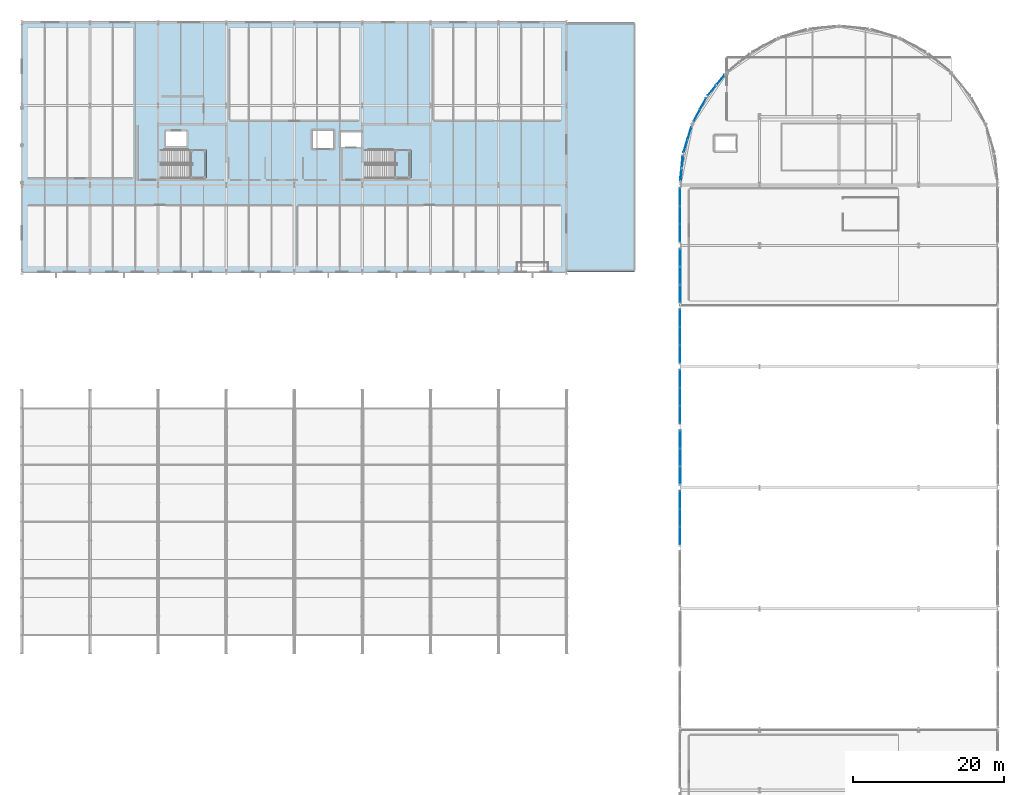
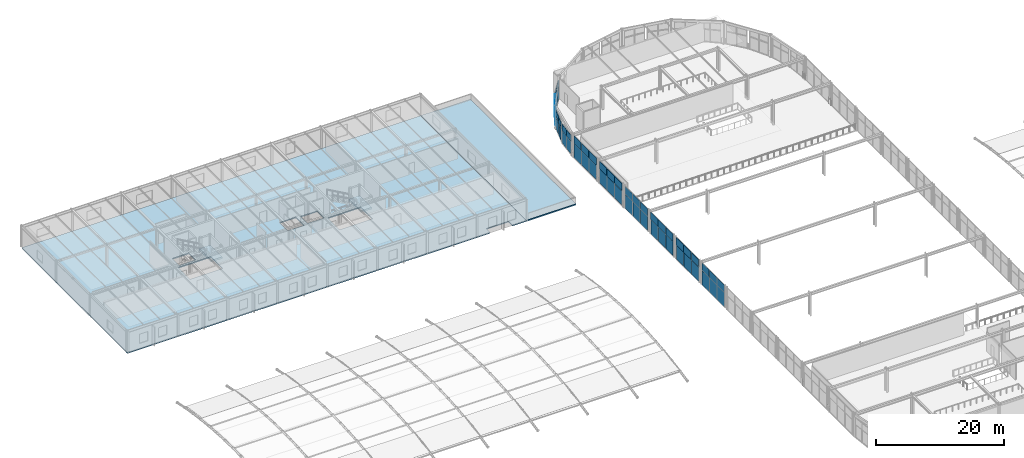
# One storey, part 54 of 105: 52 plates, 4 slabs, 12 elements without a shape of their own.
"""IFC4 building model written with IfcOpenShell, lengths in metres."""

from ifc_helpers import new_model, si_unit, direction, frame, origin, origin_2d, place, context, subcontext, project, spatial, polyline, rectangle, outline, extrude, material, layer, layer_set, type_object, element, aggregate, save


model = new_model("IFC4")

# Units and contexts
model_context = context("Model", 3, precision=1e-05, world=origin(), true_north=direction((0.0, 1.0)))
body_context = subcontext(model_context, "Body", "Model", "MODEL_VIEW")
ifc_project = project(units=[si_unit("LENGTHUNIT", "METRE"), si_unit("AREAUNIT", "SQUARE_METRE"), si_unit("VOLUMEUNIT", "CUBIC_METRE"), si_unit("PLANEANGLEUNIT", "RADIAN"), si_unit("MASSUNIT", "GRAM", prefix="KILO")], contexts=[model_context])

# Site, building, storey
site_placement = place(None, origin())
site = spatial("IfcSite", under=ifc_project, at=site_placement, CompositionType="ELEMENT")
building_placement = place(site_placement, origin())
building = spatial("IfcBuilding", under=site, at=building_placement, Name="Marlcrest Central Station", CompositionType="ELEMENT")
storey_placement = place(building_placement, frame((0.0, 0.0, 15.0)))
storey = spatial("IfcBuildingStorey", under=building, at=storey_placement, Name="L03", CompositionType="ELEMENT", Elevation=15.0)

# Curtain wall, plates
ifc_material_1 = material(Name="Anodised aluminium and hurricane laminated glass", Category="aluminium")
ifc_layer_1 = layer(ifc_material_1, 0.219970703125, Name="CW-U1")
ifc_layer_set_1 = layer_set([ifc_layer_1], Name="Anodised aluminium and hurricane laminated glass")
curtain_wall_type = type_object("IfcCurtainWallType", Name="CW-U1", PredefinedType="USERDEFINED", material=ifc_layer_set_1)
curtain_wall_1_placement = place(storey_placement, origin())
curtain_wall_1 = element("IfcCurtainWall", 1, at=curtain_wall_1_placement, inside=storey, type_object=curtain_wall_type, Name="cw-L03-0083", ObjectType="UNITISED_CURTAIN_WALL", PredefinedType="USERDEFINED")
ifc_material_2 = material(Name="Hurricane laminated solar-control glass", Category="glass")
ifc_layer_2 = layer(ifc_material_2, 0.031982421875, Name="CP-01")
ifc_layer_set_2 = layer_set([ifc_layer_2], Name="Hurricane laminated solar-control glass")
plate_type_1 = type_object("IfcPlateType", Name="CP-01", PredefinedType="CURTAIN_PANEL", material=ifc_layer_set_2)
plate_1_placement = place(storey_placement, frame((87.1328125, 111.846923828125, 0.079833984375), z_axis=(0.0, 0.0, 1.0), x_axis=(0.098138724349, 0.995172744192, 0.0)))
plate_1 = element("IfcPlate", 2, at=plate_1_placement, type_object=plate_type_1, Name="cw-L03-0083-cp-lo-0", PredefinedType="CURTAIN_PANEL", context=body_context, shape_type="SweptSolid", body=[
    extrude(rectangle(XDim=1.629150390625, YDim=0.031982421875, at=origin_2d()), origin(), (0.0, 0.0, 1.0), 2.35009765625),
])
plate_2_placement = place(storey_placement, frame((87.300048828125, 113.543701171875, 0.079833984375), z_axis=(0.0, 0.0, 1.0), x_axis=(0.098138724349, 0.995172744192, 0.0)))
plate_2 = element("IfcPlate", 3, at=plate_2_placement, type_object=plate_type_1, Name="cw-L03-0083-cp-lo-1", PredefinedType="CURTAIN_PANEL", context=body_context, shape_type="SweptSolid", body=[
    extrude(rectangle(XDim=1.629150390625, YDim=0.031982421875, at=origin_2d()), origin(), (0.0, 0.0, 1.0), 2.35009765625),
])

curtain_wall_2_placement = place(storey_placement, origin())
curtain_wall_2 = element("IfcCurtainWall", 4, at=curtain_wall_2_placement, inside=storey, type_object=curtain_wall_type, Name="cw-L03-0084", ObjectType="UNITISED_CURTAIN_WALL", PredefinedType="USERDEFINED")
plate_3_placement = place(storey_placement, frame((87.71826171875, 115.6328125, 0.079833984375), z_axis=(0.0, 0.0, 1.0), x_axis=(0.290318080597, 0.956930202302, 0.0)))
plate_3 = element("IfcPlate", 5, at=plate_3_placement, type_object=plate_type_1, Name="cw-L03-0084-cp-lo-0", PredefinedType="CURTAIN_PANEL", context=body_context, shape_type="SweptSolid", body=[
    extrude(rectangle(XDim=1.67724609375, YDim=0.031982421875, at=origin_2d()), origin(), (0.0, 0.0, 1.0), 2.35009765625),
])
plate_4_placement = place(storey_placement, frame((88.227294921875, 117.310546875, 0.079833984375), z_axis=(0.0, 0.0, 1.0), x_axis=(0.290318080597, 0.956930202302, 0.0)))
plate_4 = element("IfcPlate", 6, at=plate_4_placement, type_object=plate_type_1, Name="cw-L03-0084-cp-lo-1", PredefinedType="CURTAIN_PANEL", context=body_context, shape_type="SweptSolid", body=[
    extrude(rectangle(XDim=1.67724609375, YDim=0.031982421875, at=origin_2d()), origin(), (0.0, 0.0, 1.0), 2.35009765625),
])

curtain_wall_3_placement = place(storey_placement, origin())
curtain_wall_3 = element("IfcCurtainWall", 7, at=curtain_wall_3_placement, inside=storey, type_object=curtain_wall_type, Name="cw-L03-0085", ObjectType="UNITISED_CURTAIN_WALL", PredefinedType="USERDEFINED")
plate_5_placement = place(storey_placement, frame((89.20263671875, 119.66552734375, 0.079833984375), z_axis=(0.0, 0.0, 1.0), x_axis=(0.471242805349, 0.882003525167, 0.0)))
plate_5 = element("IfcPlate", 8, at=plate_5_placement, type_object=plate_type_1, Name="cw-L03-0085-cp-lo-0", PredefinedType="CURTAIN_PANEL", context=body_context, shape_type="SweptSolid", body=[
    extrude(rectangle(XDim=1.677490234375, YDim=0.031982421875, at=origin_2d()), origin(), (0.0, 0.0, 1.0), 2.35009765625),
])
plate_6_placement = place(storey_placement, frame((90.02880859375, 121.212158203125, 0.079833984375), z_axis=(0.0, 0.0, 1.0), x_axis=(0.471242805349, 0.882003525167, 0.0)))
plate_6 = element("IfcPlate", 9, at=plate_6_placement, type_object=plate_type_1, Name="cw-L03-0085-cp-lo-1", PredefinedType="CURTAIN_PANEL", context=body_context, shape_type="SweptSolid", body=[
    extrude(rectangle(XDim=1.677490234375, YDim=0.031982421875, at=origin_2d()), origin(), (0.0, 0.0, 1.0), 2.35009765625),
])

curtain_wall_4_placement = place(storey_placement, origin())
curtain_wall_4 = element("IfcCurtainWall", 10, at=curtain_wall_4_placement, inside=storey, type_object=curtain_wall_type, Name="cw-L03-0086", ObjectType="UNITISED_CURTAIN_WALL", PredefinedType="USERDEFINED")
plate_7_placement = place(storey_placement, frame((91.225830078125, 123.00390625, 0.079833984375), z_axis=(0.0, 0.0, 1.0), x_axis=(0.63447423015, 0.772944015615, 0.0)))
plate_7 = element("IfcPlate", 11, at=plate_7_placement, type_object=plate_type_1, Name="cw-L03-0086-cp-lo-0", PredefinedType="CURTAIN_PANEL", context=body_context, shape_type="SweptSolid", body=[
    extrude(rectangle(XDim=1.677490234375, YDim=0.031982421875, at=origin_2d()), origin(), (0.0, 0.0, 1.0), 2.35009765625),
])
plate_8_placement = place(storey_placement, frame((92.33837890625, 124.359130859375, 0.079833984375), z_axis=(0.0, 0.0, 1.0), x_axis=(0.63447423015, 0.772944015615, 0.0)))
plate_8 = element("IfcPlate", 12, at=plate_8_placement, type_object=plate_type_1, Name="cw-L03-0086-cp-lo-1", PredefinedType="CURTAIN_PANEL", context=body_context, shape_type="SweptSolid", body=[
    extrude(rectangle(XDim=1.677490234375, YDim=0.031982421875, at=origin_2d()), origin(), (0.0, 0.0, 1.0), 2.35009765625),
])

curtain_wall_5_placement = place(storey_placement, origin())
curtain_wall_5 = element("IfcCurtainWall", 13, at=curtain_wall_5_placement, inside=storey, type_object=curtain_wall_type, Name="cw-L03-0121", ObjectType="UNITISED_CURTAIN_WALL", PredefinedType="USERDEFINED")
plate_9_placement = place(storey_placement, frame((87.0, 64.13330078125, 0.080078125), z_axis=(0.0, 0.0, 1.0), x_axis=(0.0, 1.0, 0.0)))
plate_9 = element("IfcPlate", 14, at=plate_9_placement, type_object=plate_type_1, Name="cw-L03-0121-cp-lo-0", PredefinedType="CURTAIN_PANEL", context=body_context, shape_type="SweptSolid", body=[
    extrude(rectangle(XDim=2.290771484375, YDim=0.031982421875, at=origin_2d()), origin(), (0.0, 0.0, 1.0), 2.7080078125),
])
plate_10_placement = place(storey_placement, frame((87.0, 66.5, 0.080078125), z_axis=(0.0, 0.0, 1.0), x_axis=(0.0, 1.0, 0.0)))
plate_10 = element("IfcPlate", 15, at=plate_10_placement, type_object=plate_type_1, Name="cw-L03-0121-cp-lo-1", PredefinedType="CURTAIN_PANEL", context=body_context, shape_type="SweptSolid", body=[
    extrude(rectangle(XDim=2.290771484375, YDim=0.031982421875, at=origin_2d()), origin(), (0.0, 0.0, 1.0), 2.7080078125),
])
plate_11_placement = place(storey_placement, frame((87.0, 68.86669921875, 0.080078125), z_axis=(0.0, 0.0, 1.0), x_axis=(0.0, 1.0, 0.0)))
plate_11 = element("IfcPlate", 16, at=plate_11_placement, type_object=plate_type_1, Name="cw-L03-0121-cp-lo-2", PredefinedType="CURTAIN_PANEL", context=body_context, shape_type="SweptSolid", body=[
    extrude(rectangle(XDim=2.290771484375, YDim=0.031982421875, at=origin_2d()), origin(), (0.0, 0.0, 1.0), 2.7080078125),
])

curtain_wall_6_placement = place(storey_placement, origin())
curtain_wall_6 = element("IfcCurtainWall", 17, at=curtain_wall_6_placement, inside=storey, type_object=curtain_wall_type, Name="cw-L03-0125", ObjectType="UNITISED_CURTAIN_WALL", PredefinedType="USERDEFINED")
plate_12_placement = place(storey_placement, frame((87.0, 72.13330078125, 0.080078125), z_axis=(0.0, 0.0, 1.0), x_axis=(0.0, 1.0, 0.0)))
plate_12 = element("IfcPlate", 18, at=plate_12_placement, type_object=plate_type_1, Name="cw-L03-0125-cp-lo-0", PredefinedType="CURTAIN_PANEL", context=body_context, shape_type="SweptSolid", body=[
    extrude(rectangle(XDim=2.290771484375, YDim=0.031982421875, at=origin_2d()), origin(), (0.0, 0.0, 1.0), 2.7080078125),
])
plate_13_placement = place(storey_placement, frame((87.0, 74.5, 0.080078125), z_axis=(0.0, 0.0, 1.0), x_axis=(0.0, 1.0, 0.0)))
plate_13 = element("IfcPlate", 19, at=plate_13_placement, type_object=plate_type_1, Name="cw-L03-0125-cp-lo-1", PredefinedType="CURTAIN_PANEL", context=body_context, shape_type="SweptSolid", body=[
    extrude(rectangle(XDim=2.290771484375, YDim=0.031982421875, at=origin_2d()), origin(), (0.0, 0.0, 1.0), 2.7080078125),
])
plate_14_placement = place(storey_placement, frame((87.0, 76.86669921875, 0.080078125), z_axis=(0.0, 0.0, 1.0), x_axis=(0.0, 1.0, 0.0)))
plate_14 = element("IfcPlate", 20, at=plate_14_placement, type_object=plate_type_1, Name="cw-L03-0125-cp-lo-2", PredefinedType="CURTAIN_PANEL", context=body_context, shape_type="SweptSolid", body=[
    extrude(rectangle(XDim=2.290771484375, YDim=0.031982421875, at=origin_2d()), origin(), (0.0, 0.0, 1.0), 2.7080078125),
])

curtain_wall_7_placement = place(storey_placement, origin())
curtain_wall_7 = element("IfcCurtainWall", 21, at=curtain_wall_7_placement, inside=storey, type_object=curtain_wall_type, Name="cw-L03-0129", ObjectType="UNITISED_CURTAIN_WALL", PredefinedType="USERDEFINED")
plate_15_placement = place(storey_placement, frame((87.0, 80.13330078125, 0.080078125), z_axis=(0.0, 0.0, 1.0), x_axis=(0.0, 1.0, 0.0)))
plate_15 = element("IfcPlate", 22, at=plate_15_placement, type_object=plate_type_1, Name="cw-L03-0129-cp-lo-0", PredefinedType="CURTAIN_PANEL", context=body_context, shape_type="SweptSolid", body=[
    extrude(rectangle(XDim=2.290771484375, YDim=0.031982421875, at=origin_2d()), origin(), (0.0, 0.0, 1.0), 2.7080078125),
])
plate_16_placement = place(storey_placement, frame((87.0, 82.5, 0.080078125), z_axis=(0.0, 0.0, 1.0), x_axis=(0.0, 1.0, 0.0)))
plate_16 = element("IfcPlate", 23, at=plate_16_placement, type_object=plate_type_1, Name="cw-L03-0129-cp-lo-1", PredefinedType="CURTAIN_PANEL", context=body_context, shape_type="SweptSolid", body=[
    extrude(rectangle(XDim=2.290771484375, YDim=0.031982421875, at=origin_2d()), origin(), (0.0, 0.0, 1.0), 2.7080078125),
])
plate_17_placement = place(storey_placement, frame((87.0, 84.86669921875, 0.080078125), z_axis=(0.0, 0.0, 1.0), x_axis=(0.0, 1.0, 0.0)))
plate_17 = element("IfcPlate", 24, at=plate_17_placement, type_object=plate_type_1, Name="cw-L03-0129-cp-lo-2", PredefinedType="CURTAIN_PANEL", context=body_context, shape_type="SweptSolid", body=[
    extrude(rectangle(XDim=2.290771484375, YDim=0.031982421875, at=origin_2d()), origin(), (0.0, 0.0, 1.0), 2.7080078125),
])

curtain_wall_8_placement = place(storey_placement, origin())
curtain_wall_8 = element("IfcCurtainWall", 25, at=curtain_wall_8_placement, inside=storey, type_object=curtain_wall_type, Name="cw-L03-0133", ObjectType="UNITISED_CURTAIN_WALL", PredefinedType="USERDEFINED")
plate_18_placement = place(storey_placement, frame((87.0, 88.13330078125, 0.080078125), z_axis=(0.0, 0.0, 1.0), x_axis=(0.0, 1.0, 0.0)))
plate_18 = element("IfcPlate", 26, at=plate_18_placement, type_object=plate_type_1, Name="cw-L03-0133-cp-lo-0", PredefinedType="CURTAIN_PANEL", context=body_context, shape_type="SweptSolid", body=[
    extrude(rectangle(XDim=2.290771484375, YDim=0.031982421875, at=origin_2d()), origin(), (0.0, 0.0, 1.0), 2.7080078125),
])
plate_19_placement = place(storey_placement, frame((87.0, 90.5, 0.080078125), z_axis=(0.0, 0.0, 1.0), x_axis=(0.0, 1.0, 0.0)))
plate_19 = element("IfcPlate", 27, at=plate_19_placement, type_object=plate_type_1, Name="cw-L03-0133-cp-lo-1", PredefinedType="CURTAIN_PANEL", context=body_context, shape_type="SweptSolid", body=[
    extrude(rectangle(XDim=2.290771484375, YDim=0.031982421875, at=origin_2d()), origin(), (0.0, 0.0, 1.0), 2.7080078125),
])
plate_20_placement = place(storey_placement, frame((87.0, 92.86669921875, 0.080078125), z_axis=(0.0, 0.0, 1.0), x_axis=(0.0, 1.0, 0.0)))
plate_20 = element("IfcPlate", 28, at=plate_20_placement, type_object=plate_type_1, Name="cw-L03-0133-cp-lo-2", PredefinedType="CURTAIN_PANEL", context=body_context, shape_type="SweptSolid", body=[
    extrude(rectangle(XDim=2.290771484375, YDim=0.031982421875, at=origin_2d()), origin(), (0.0, 0.0, 1.0), 2.7080078125),
])

curtain_wall_9_placement = place(storey_placement, origin())
curtain_wall_9 = element("IfcCurtainWall", 29, at=curtain_wall_9_placement, inside=storey, type_object=curtain_wall_type, Name="cw-L03-0137", ObjectType="UNITISED_CURTAIN_WALL", PredefinedType="USERDEFINED")
plate_21_placement = place(storey_placement, frame((87.0, 96.13330078125, 0.080078125), z_axis=(0.0, 0.0, 1.0), x_axis=(0.0, 1.0, 0.0)))
plate_21 = element("IfcPlate", 30, at=plate_21_placement, type_object=plate_type_1, Name="cw-L03-0137-cp-lo-0", PredefinedType="CURTAIN_PANEL", context=body_context, shape_type="SweptSolid", body=[
    extrude(rectangle(XDim=2.290771484375, YDim=0.031982421875, at=origin_2d()), origin(), (0.0, 0.0, 1.0), 2.7080078125),
])
plate_22_placement = place(storey_placement, frame((87.0, 98.5, 0.080078125), z_axis=(0.0, 0.0, 1.0), x_axis=(0.0, 1.0, 0.0)))
plate_22 = element("IfcPlate", 31, at=plate_22_placement, type_object=plate_type_1, Name="cw-L03-0137-cp-lo-1", PredefinedType="CURTAIN_PANEL", context=body_context, shape_type="SweptSolid", body=[
    extrude(rectangle(XDim=2.290771484375, YDim=0.031982421875, at=origin_2d()), origin(), (0.0, 0.0, 1.0), 2.7080078125),
])
plate_23_placement = place(storey_placement, frame((87.0, 100.86669921875, 0.080078125), z_axis=(0.0, 0.0, 1.0), x_axis=(0.0, 1.0, 0.0)))
plate_23 = element("IfcPlate", 32, at=plate_23_placement, type_object=plate_type_1, Name="cw-L03-0137-cp-lo-2", PredefinedType="CURTAIN_PANEL", context=body_context, shape_type="SweptSolid", body=[
    extrude(rectangle(XDim=2.290771484375, YDim=0.031982421875, at=origin_2d()), origin(), (0.0, 0.0, 1.0), 2.7080078125),
])

curtain_wall_10_placement = place(storey_placement, origin())
curtain_wall_10 = element("IfcCurtainWall", 33, at=curtain_wall_10_placement, inside=storey, type_object=curtain_wall_type, Name="cw-L03-0141", ObjectType="UNITISED_CURTAIN_WALL", PredefinedType="USERDEFINED")
plate_24_placement = place(storey_placement, frame((87.0, 104.13330078125, 0.080078125), z_axis=(0.0, 0.0, 1.0), x_axis=(0.0, 1.0, 0.0)))
plate_24 = element("IfcPlate", 34, at=plate_24_placement, type_object=plate_type_1, Name="cw-L03-0141-cp-lo-0", PredefinedType="CURTAIN_PANEL", context=body_context, shape_type="SweptSolid", body=[
    extrude(rectangle(XDim=2.290771484375, YDim=0.031982421875, at=origin_2d()), origin(), (0.0, 0.0, 1.0), 2.7080078125),
])
plate_25_placement = place(storey_placement, frame((87.0, 106.5, 0.080078125), z_axis=(0.0, 0.0, 1.0), x_axis=(0.0, 1.0, 0.0)))
plate_25 = element("IfcPlate", 35, at=plate_25_placement, type_object=plate_type_1, Name="cw-L03-0141-cp-lo-1", PredefinedType="CURTAIN_PANEL", context=body_context, shape_type="SweptSolid", body=[
    extrude(rectangle(XDim=2.290771484375, YDim=0.031982421875, at=origin_2d()), origin(), (0.0, 0.0, 1.0), 2.7080078125),
])
plate_26_placement = place(storey_placement, frame((87.0, 108.86669921875, 0.080078125), z_axis=(0.0, 0.0, 1.0), x_axis=(0.0, 1.0, 0.0)))
plate_26 = element("IfcPlate", 36, at=plate_26_placement, type_object=plate_type_1, Name="cw-L03-0141-cp-lo-2", PredefinedType="CURTAIN_PANEL", context=body_context, shape_type="SweptSolid", body=[
    extrude(rectangle(XDim=2.290771484375, YDim=0.031982421875, at=origin_2d()), origin(), (0.0, 0.0, 1.0), 2.7080078125),
])

# Plate
ifc_material_3 = material(Name="Insulated bronze-anodised aluminium spandrel panel", Category="aluminium")
ifc_layer_3 = layer(ifc_material_3, 0.06005859375, Name="CP-04")
ifc_layer_set_3 = layer_set([ifc_layer_3], Name="Insulated bronze-anodised aluminium spandrel panel")
plate_type_2 = type_object("IfcPlateType", Name="CP-04", PredefinedType="CURTAIN_PANEL", material=ifc_layer_set_3)
plate_27_placement = place(storey_placement, frame((87.71826171875, 115.6328125, 2.510009765625), z_axis=(0.0, 0.0, 1.0), x_axis=(0.290318080597, 0.956930202302, 0.0)))
plate_27 = element("IfcPlate", 37, at=plate_27_placement, type_object=plate_type_2, Name="cw-L03-0084-cp-hi-0", PredefinedType="CURTAIN_PANEL", context=body_context, shape_type="SweptSolid", body=[
    extrude(rectangle(XDim=1.67724609375, YDim=0.06005859375, at=origin_2d()), origin(), (0.0, 0.0, 1.0), 1.2099609375),
])

plate_28_placement = place(storey_placement, frame((88.227294921875, 117.310546875, 2.510009765625), z_axis=(0.0, 0.0, 1.0), x_axis=(0.290318080597, 0.956930202302, 0.0)))
plate_28 = element("IfcPlate", 38, at=plate_28_placement, type_object=plate_type_2, Name="cw-L03-0084-cp-hi-1", PredefinedType="CURTAIN_PANEL", context=body_context, shape_type="SweptSolid", body=[
    extrude(rectangle(XDim=1.67724609375, YDim=0.06005859375, at=origin_2d()), origin(), (0.0, 0.0, 1.0), 1.2099609375),
])

aggregate(curtain_wall_2, [plate_3, plate_27, plate_4, plate_28])

ifc_layer_4 = layer(ifc_material_3, 0.050048828125, Name="CP-05")
ifc_layer_set_4 = layer_set([ifc_layer_4], Name="Insulated bronze-anodised aluminium spandrel panel")
plate_type_3 = type_object("IfcPlateType", Name="CP-05", PredefinedType="CURTAIN_PANEL", material=ifc_layer_set_4)
plate_29_placement = place(storey_placement, frame((89.20263671875, 119.66552734375, 2.510009765625), z_axis=(0.0, 0.0, 1.0), x_axis=(0.471242805349, 0.882003525167, 0.0)))
plate_29 = element("IfcPlate", 39, at=plate_29_placement, type_object=plate_type_3, Name="cw-L03-0085-cp-hi-0", PredefinedType="CURTAIN_PANEL", context=body_context, shape_type="SweptSolid", body=[
    extrude(rectangle(XDim=1.677490234375, YDim=0.050048828125, at=origin_2d()), origin(), (0.0, 0.0, 1.0), 1.2099609375),
])

plate_30_placement = place(storey_placement, frame((90.02880859375, 121.212158203125, 2.510009765625), z_axis=(0.0, 0.0, 1.0), x_axis=(0.471242805349, 0.882003525167, 0.0)))
plate_30 = element("IfcPlate", 40, at=plate_30_placement, type_object=plate_type_3, Name="cw-L03-0085-cp-hi-1", PredefinedType="CURTAIN_PANEL", context=body_context, shape_type="SweptSolid", body=[
    extrude(rectangle(XDim=1.677490234375, YDim=0.050048828125, at=origin_2d()), origin(), (0.0, 0.0, 1.0), 1.2099609375),
])

aggregate(curtain_wall_3, [plate_5, plate_29, plate_6, plate_30])

plate_31_placement = place(storey_placement, frame((87.0, 64.13330078125, 2.8681640625), z_axis=(0.0, 0.0, 1.0), x_axis=(0.0, 1.0, 0.0)))
plate_31 = element("IfcPlate", 41, at=plate_31_placement, type_object=plate_type_3, Name="cw-L03-0121-cp-hi-0", PredefinedType="CURTAIN_PANEL", context=body_context, shape_type="SweptSolid", body=[
    extrude(rectangle(XDim=2.290771484375, YDim=0.050048828125, at=origin_2d()), origin(), (0.0, 0.0, 1.0), 1.402099609375),
])

plate_32_placement = place(storey_placement, frame((87.0, 66.5, 2.8681640625), z_axis=(0.0, 0.0, 1.0), x_axis=(0.0, 1.0, 0.0)))
plate_32 = element("IfcPlate", 42, at=plate_32_placement, type_object=plate_type_3, Name="cw-L03-0121-cp-hi-1", PredefinedType="CURTAIN_PANEL", context=body_context, shape_type="SweptSolid", body=[
    extrude(rectangle(XDim=2.290771484375, YDim=0.050048828125, at=origin_2d()), origin(), (0.0, 0.0, 1.0), 1.402099609375),
])

plate_33_placement = place(storey_placement, frame((87.0, 68.86669921875, 2.8681640625), z_axis=(0.0, 0.0, 1.0), x_axis=(0.0, 1.0, 0.0)))
plate_33 = element("IfcPlate", 43, at=plate_33_placement, type_object=plate_type_3, Name="cw-L03-0121-cp-hi-2", PredefinedType="CURTAIN_PANEL", context=body_context, shape_type="SweptSolid", body=[
    extrude(rectangle(XDim=2.290771484375, YDim=0.050048828125, at=origin_2d()), origin(), (0.0, 0.0, 1.0), 1.402099609375),
])

aggregate(curtain_wall_5, [plate_9, plate_31, plate_10, plate_32, plate_11, plate_33])

plate_34_placement = place(storey_placement, frame((87.0, 88.13330078125, 2.8681640625), z_axis=(0.0, 0.0, 1.0), x_axis=(0.0, 1.0, 0.0)))
plate_34 = element("IfcPlate", 44, at=plate_34_placement, type_object=plate_type_3, Name="cw-L03-0133-cp-hi-0", PredefinedType="CURTAIN_PANEL", context=body_context, shape_type="SweptSolid", body=[
    extrude(rectangle(XDim=2.290771484375, YDim=0.050048828125, at=origin_2d()), origin(), (0.0, 0.0, 1.0), 1.402099609375),
])

plate_35_placement = place(storey_placement, frame((87.0, 90.5, 2.8681640625), z_axis=(0.0, 0.0, 1.0), x_axis=(0.0, 1.0, 0.0)))
plate_35 = element("IfcPlate", 45, at=plate_35_placement, type_object=plate_type_3, Name="cw-L03-0133-cp-hi-1", PredefinedType="CURTAIN_PANEL", context=body_context, shape_type="SweptSolid", body=[
    extrude(rectangle(XDim=2.290771484375, YDim=0.050048828125, at=origin_2d()), origin(), (0.0, 0.0, 1.0), 1.402099609375),
])

plate_36_placement = place(storey_placement, frame((87.0, 92.86669921875, 2.8681640625), z_axis=(0.0, 0.0, 1.0), x_axis=(0.0, 1.0, 0.0)))
plate_36 = element("IfcPlate", 46, at=plate_36_placement, type_object=plate_type_3, Name="cw-L03-0133-cp-hi-2", PredefinedType="CURTAIN_PANEL", context=body_context, shape_type="SweptSolid", body=[
    extrude(rectangle(XDim=2.290771484375, YDim=0.050048828125, at=origin_2d()), origin(), (0.0, 0.0, 1.0), 1.402099609375),
])

aggregate(curtain_wall_8, [plate_18, plate_34, plate_19, plate_35, plate_20, plate_36])

ifc_material_4 = material(Name="Insulated acoustic spandrel panel")
ifc_layer_5 = layer(ifc_material_4, 0.074951171875, Name="CP-06")
ifc_layer_set_5 = layer_set([ifc_layer_5], Name="Insulated acoustic spandrel panel")
plate_type_4 = type_object("IfcPlateType", Name="CP-06", PredefinedType="CURTAIN_PANEL", material=ifc_layer_set_5)
plate_37_placement = place(storey_placement, frame((91.225830078125, 123.00390625, 2.510009765625), z_axis=(0.0, 0.0, 1.0), x_axis=(0.63447423015, 0.772944015615, 0.0)))
plate_37 = element("IfcPlate", 47, at=plate_37_placement, type_object=plate_type_4, Name="cw-L03-0086-cp-hi-0", PredefinedType="CURTAIN_PANEL", context=body_context, shape_type="SweptSolid", body=[
    extrude(rectangle(XDim=1.677490234375, YDim=0.074951171875, at=origin_2d()), origin(), (0.0, 0.0, 1.0), 1.2099609375),
])

plate_38_placement = place(storey_placement, frame((92.33837890625, 124.359130859375, 2.510009765625), z_axis=(0.0, 0.0, 1.0), x_axis=(0.63447423015, 0.772944015615, 0.0)))
plate_38 = element("IfcPlate", 48, at=plate_38_placement, type_object=plate_type_4, Name="cw-L03-0086-cp-hi-1", PredefinedType="CURTAIN_PANEL", context=body_context, shape_type="SweptSolid", body=[
    extrude(rectangle(XDim=1.677490234375, YDim=0.074951171875, at=origin_2d()), origin(), (0.0, 0.0, 1.0), 1.2099609375),
])

aggregate(curtain_wall_4, [plate_7, plate_37, plate_8, plate_38])

ifc_material_5 = material(Name="Insulated hurricane-rated spandrel panel")
ifc_layer_6 = layer(ifc_material_5, 0.090087890625, Name="CP-07")
ifc_layer_set_6 = layer_set([ifc_layer_6], Name="Insulated hurricane-rated spandrel panel")
plate_type_5 = type_object("IfcPlateType", Name="CP-07", PredefinedType="CURTAIN_PANEL", material=ifc_layer_set_6)
plate_39_placement = place(storey_placement, frame((87.0, 80.13330078125, 2.8681640625), z_axis=(0.0, 0.0, 1.0), x_axis=(0.0, 1.0, 0.0)))
plate_39 = element("IfcPlate", 49, at=plate_39_placement, type_object=plate_type_5, Name="cw-L03-0129-cp-hi-0", PredefinedType="CURTAIN_PANEL", context=body_context, shape_type="SweptSolid", body=[
    extrude(rectangle(XDim=2.290771484375, YDim=0.090087890625, at=origin_2d()), origin(), (0.0, 0.0, 1.0), 1.402099609375),
])

plate_40_placement = place(storey_placement, frame((87.0, 82.5, 2.8681640625), z_axis=(0.0, 0.0, 1.0), x_axis=(0.0, 1.0, 0.0)))
plate_40 = element("IfcPlate", 50, at=plate_40_placement, type_object=plate_type_5, Name="cw-L03-0129-cp-hi-1", PredefinedType="CURTAIN_PANEL", context=body_context, shape_type="SweptSolid", body=[
    extrude(rectangle(XDim=2.290771484375, YDim=0.090087890625, at=origin_2d()), origin(), (0.0, 0.0, 1.0), 1.402099609375),
])

plate_41_placement = place(storey_placement, frame((87.0, 84.86669921875, 2.8681640625), z_axis=(0.0, 0.0, 1.0), x_axis=(0.0, 1.0, 0.0)))
plate_41 = element("IfcPlate", 51, at=plate_41_placement, type_object=plate_type_5, Name="cw-L03-0129-cp-hi-2", PredefinedType="CURTAIN_PANEL", context=body_context, shape_type="SweptSolid", body=[
    extrude(rectangle(XDim=2.290771484375, YDim=0.090087890625, at=origin_2d()), origin(), (0.0, 0.0, 1.0), 1.402099609375),
])

aggregate(curtain_wall_7, [plate_15, plate_39, plate_16, plate_40, plate_17, plate_41])

plate_42_placement = place(storey_placement, frame((87.0, 104.13330078125, 2.8681640625), z_axis=(0.0, 0.0, 1.0), x_axis=(0.0, 1.0, 0.0)))
plate_42 = element("IfcPlate", 52, at=plate_42_placement, type_object=plate_type_5, Name="cw-L03-0141-cp-hi-0", PredefinedType="CURTAIN_PANEL", context=body_context, shape_type="SweptSolid", body=[
    extrude(rectangle(XDim=2.290771484375, YDim=0.090087890625, at=origin_2d()), origin(), (0.0, 0.0, 1.0), 1.402099609375),
])

plate_43_placement = place(storey_placement, frame((87.0, 106.5, 2.8681640625), z_axis=(0.0, 0.0, 1.0), x_axis=(0.0, 1.0, 0.0)))
plate_43 = element("IfcPlate", 53, at=plate_43_placement, type_object=plate_type_5, Name="cw-L03-0141-cp-hi-1", PredefinedType="CURTAIN_PANEL", context=body_context, shape_type="SweptSolid", body=[
    extrude(rectangle(XDim=2.290771484375, YDim=0.090087890625, at=origin_2d()), origin(), (0.0, 0.0, 1.0), 1.402099609375),
])

plate_44_placement = place(storey_placement, frame((87.0, 108.86669921875, 2.8681640625), z_axis=(0.0, 0.0, 1.0), x_axis=(0.0, 1.0, 0.0)))
plate_44 = element("IfcPlate", 54, at=plate_44_placement, type_object=plate_type_5, Name="cw-L03-0141-cp-hi-2", PredefinedType="CURTAIN_PANEL", context=body_context, shape_type="SweptSolid", body=[
    extrude(rectangle(XDim=2.290771484375, YDim=0.090087890625, at=origin_2d()), origin(), (0.0, 0.0, 1.0), 1.402099609375),
])

aggregate(curtain_wall_10, [plate_24, plate_42, plate_25, plate_43, plate_26, plate_44])

ifc_material_6 = material(Name="Insulated fire-safing spandrel panel")
ifc_layer_7 = layer(ifc_material_6, 0.1201171875, Name="CP-09")
ifc_layer_set_7 = layer_set([ifc_layer_7], Name="Insulated fire-safing spandrel panel")
plate_type_6 = type_object("IfcPlateType", Name="CP-09", PredefinedType="CURTAIN_PANEL", material=ifc_layer_set_7)
plate_45_placement = place(storey_placement, frame((87.1328125, 111.846923828125, 2.510009765625), z_axis=(0.0, 0.0, 1.0), x_axis=(0.098138724349, 0.995172744192, 0.0)))
plate_45 = element("IfcPlate", 55, at=plate_45_placement, type_object=plate_type_6, Name="cw-L03-0083-cp-hi-0", PredefinedType="CURTAIN_PANEL", context=body_context, shape_type="SweptSolid", body=[
    extrude(rectangle(XDim=1.629150390625, YDim=0.1201171875, at=origin_2d()), origin(), (0.0, 0.0, 1.0), 1.2099609375),
])

plate_46_placement = place(storey_placement, frame((87.300048828125, 113.543701171875, 2.510009765625), z_axis=(0.0, 0.0, 1.0), x_axis=(0.098138724349, 0.995172744192, 0.0)))
plate_46 = element("IfcPlate", 56, at=plate_46_placement, type_object=plate_type_6, Name="cw-L03-0083-cp-hi-1", PredefinedType="CURTAIN_PANEL", context=body_context, shape_type="SweptSolid", body=[
    extrude(rectangle(XDim=1.629150390625, YDim=0.1201171875, at=origin_2d()), origin(), (0.0, 0.0, 1.0), 1.2099609375),
])

aggregate(curtain_wall_1, [plate_1, plate_45, plate_2, plate_46])

plate_47_placement = place(storey_placement, frame((87.0, 72.13330078125, 2.8681640625), z_axis=(0.0, 0.0, 1.0), x_axis=(0.0, 1.0, 0.0)))
plate_47 = element("IfcPlate", 57, at=plate_47_placement, type_object=plate_type_6, Name="cw-L03-0125-cp-hi-0", PredefinedType="CURTAIN_PANEL", context=body_context, shape_type="SweptSolid", body=[
    extrude(rectangle(XDim=2.290771484375, YDim=0.1201171875, at=origin_2d()), origin(), (0.0, 0.0, 1.0), 1.402099609375),
])

plate_48_placement = place(storey_placement, frame((87.0, 74.5, 2.8681640625), z_axis=(0.0, 0.0, 1.0), x_axis=(0.0, 1.0, 0.0)))
plate_48 = element("IfcPlate", 58, at=plate_48_placement, type_object=plate_type_6, Name="cw-L03-0125-cp-hi-1", PredefinedType="CURTAIN_PANEL", context=body_context, shape_type="SweptSolid", body=[
    extrude(rectangle(XDim=2.290771484375, YDim=0.1201171875, at=origin_2d()), origin(), (0.0, 0.0, 1.0), 1.402099609375),
])

plate_49_placement = place(storey_placement, frame((87.0, 76.86669921875, 2.8681640625), z_axis=(0.0, 0.0, 1.0), x_axis=(0.0, 1.0, 0.0)))
plate_49 = element("IfcPlate", 59, at=plate_49_placement, type_object=plate_type_6, Name="cw-L03-0125-cp-hi-2", PredefinedType="CURTAIN_PANEL", context=body_context, shape_type="SweptSolid", body=[
    extrude(rectangle(XDim=2.290771484375, YDim=0.1201171875, at=origin_2d()), origin(), (0.0, 0.0, 1.0), 1.402099609375),
])

aggregate(curtain_wall_6, [plate_12, plate_47, plate_13, plate_48, plate_14, plate_49])

plate_50_placement = place(storey_placement, frame((87.0, 96.13330078125, 2.8681640625), z_axis=(0.0, 0.0, 1.0), x_axis=(0.0, 1.0, 0.0)))
plate_50 = element("IfcPlate", 60, at=plate_50_placement, type_object=plate_type_6, Name="cw-L03-0137-cp-hi-0", PredefinedType="CURTAIN_PANEL", context=body_context, shape_type="SweptSolid", body=[
    extrude(rectangle(XDim=2.290771484375, YDim=0.1201171875, at=origin_2d()), origin(), (0.0, 0.0, 1.0), 1.402099609375),
])

plate_51_placement = place(storey_placement, frame((87.0, 98.5, 2.8681640625), z_axis=(0.0, 0.0, 1.0), x_axis=(0.0, 1.0, 0.0)))
plate_51 = element("IfcPlate", 61, at=plate_51_placement, type_object=plate_type_6, Name="cw-L03-0137-cp-hi-1", PredefinedType="CURTAIN_PANEL", context=body_context, shape_type="SweptSolid", body=[
    extrude(rectangle(XDim=2.290771484375, YDim=0.1201171875, at=origin_2d()), origin(), (0.0, 0.0, 1.0), 1.402099609375),
])

plate_52_placement = place(storey_placement, frame((87.0, 100.86669921875, 2.8681640625), z_axis=(0.0, 0.0, 1.0), x_axis=(0.0, 1.0, 0.0)))
plate_52 = element("IfcPlate", 62, at=plate_52_placement, type_object=plate_type_6, Name="cw-L03-0137-cp-hi-2", PredefinedType="CURTAIN_PANEL", context=body_context, shape_type="SweptSolid", body=[
    extrude(rectangle(XDim=2.290771484375, YDim=0.1201171875, at=origin_2d()), origin(), (0.0, 0.0, 1.0), 1.402099609375),
])

aggregate(curtain_wall_9, [plate_21, plate_50, plate_22, plate_51, plate_23, plate_52])

# Slab
ifc_material_7 = material(Name="Concrete C35/45", Category="concrete")
ifc_layer_8 = layer(ifc_material_7, 0.199951171875, Name="FS-03")
ifc_layer_set_8 = layer_set([ifc_layer_8], Name="Concrete C35/45")
slab_type_1 = type_object("IfcSlabType", Name="FS-03", PredefinedType="FLOOR", material=ifc_layer_set_8)
slab_1_placement = place(storey_placement, frame((0.0, 0.0, -0.199951171875)))
element("IfcSlab", 63, at=slab_1_placement, inside=storey, type_object=slab_type_1, Name="slab-L03-0005", PredefinedType="FLOOR", context=body_context, shape_type="SweptSolid", body=[
    extrude(outline(polyline([(0.0, 99.0), (65.5, 99.0), (65.5, 100.199951171875), (69.5, 100.199951171875), (69.5, 99.0), (72.0, 99.0), (72.0, 132.0), (0.0, 132.0), (0.0, 99.0)]), holes=[polyline([(18.449951171875, 111.39990234375), (24.39990234375, 111.39990234375), (24.39990234375, 115.10009765625), (18.449951171875, 115.10009765625), (18.449951171875, 111.39990234375)]), polyline([(18.919921875, 115.52001953125), (21.8798828125, 115.52001953125), (21.8798828125, 117.679931640625), (18.919921875, 117.679931640625), (18.919921875, 115.52001953125)]), polyline([(45.449951171875, 111.39990234375), (51.39990234375, 111.39990234375), (51.39990234375, 115.10009765625), (45.449951171875, 115.10009765625), (45.449951171875, 111.39990234375)]), polyline([(42.02001953125, 115.419921875), (44.97998046875, 115.419921875), (44.97998046875, 117.580078125), (42.02001953125, 117.580078125), (42.02001953125, 115.419921875)]), polyline([(38.320068359375, 115.219970703125), (41.280029296875, 115.219970703125), (41.280029296875, 117.780029296875), (38.320068359375, 117.780029296875), (38.320068359375, 115.219970703125)])]), origin(), (0.0, 0.0, 1.0), 0.199951171875),
])

# Stair, slab
stair_type = type_object("IfcStairType", Name="ST-HTS", PredefinedType="HALF_TURN_STAIR", material=ifc_material_7)
stair_1_placement = place(storey_placement, origin())
stair_1 = element("IfcStair", 64, at=stair_1_placement, inside=storey, type_object=stair_type, Name="ST-W13", PredefinedType="HALF_TURN_STAIR")
ifc_layer_9 = layer(ifc_material_7, 0.320068359375, Name="LS-01")
ifc_layer_set_9 = layer_set([ifc_layer_9], Name="Concrete C35/45")
slab_type_2 = type_object("IfcSlabType", Name="LS-01", PredefinedType="LANDING", material=ifc_layer_set_9)
slab_2_placement = place(storey_placement, frame((0.0, 0.0, 1.929931640625)))
slab_2 = element("IfcSlab", 65, at=slab_2_placement, type_object=slab_type_2, Name="ST-W13-L1", PredefinedType="LANDING", context=body_context, shape_type="SweptSolid", body=[
    extrude(outline(polyline([(22.280029296875, 111.3701171875), (24.280029296875, 111.3701171875), (24.280029296875, 115.1298828125), (22.280029296875, 115.1298828125), (22.280029296875, 113.31005859375), (22.530029296875, 113.31005859375), (22.530029296875, 113.18994140625), (22.280029296875, 113.18994140625), (22.280029296875, 111.3701171875)])), origin(), (0.0, 0.0, 1.0), 0.320068359375),
])
aggregate(stair_1, [slab_2])

stair_2_placement = place(storey_placement, origin())
stair_2 = element("IfcStair", 66, at=stair_2_placement, inside=storey, type_object=stair_type, Name="ST-W23", PredefinedType="HALF_TURN_STAIR")
slab_3_placement = place(storey_placement, frame((0.0, 0.0, 1.929931640625)))
slab_3 = element("IfcSlab", 67, at=slab_3_placement, type_object=slab_type_2, Name="ST-W23-L1", PredefinedType="LANDING", context=body_context, shape_type="SweptSolid", body=[
    extrude(outline(polyline([(49.280029296875, 111.3701171875), (51.280029296875, 111.3701171875), (51.280029296875, 115.1298828125), (49.280029296875, 115.1298828125), (49.280029296875, 113.31005859375), (49.530029296875, 113.31005859375), (49.530029296875, 113.18994140625), (49.280029296875, 113.18994140625), (49.280029296875, 111.3701171875)])), origin(), (0.0, 0.0, 1.0), 0.320068359375),
])
aggregate(stair_2, [slab_3])

# Slab
ifc_material_8 = material(Name="Concrete C40/50", Category="concrete")
ifc_layer_10 = layer(ifc_material_8, 0.219970703125, Name="RS-01")
ifc_layer_set_10 = layer_set([ifc_layer_10], Name="Concrete C40/50")
slab_type_3 = type_object("IfcSlabType", Name="RS-01", PredefinedType="ROOF", material=ifc_layer_set_10)
slab_4_placement = place(storey_placement, frame((0.0, 0.0, -0.219970703125)))
element("IfcSlab", 68, at=slab_4_placement, inside=storey, type_object=slab_type_3, Name="slab-L03-0006", PredefinedType="ROOF", context=body_context, shape_type="SweptSolid", body=[
    extrude(outline(polyline([(81.0, 132.0), (81.0, 99.0), (72.0, 99.0), (72.0, 132.0), (81.0, 132.0)])), origin(), (0.0, 0.0, 1.0), 0.219970703125),
])

save(model, "model.ifc")
